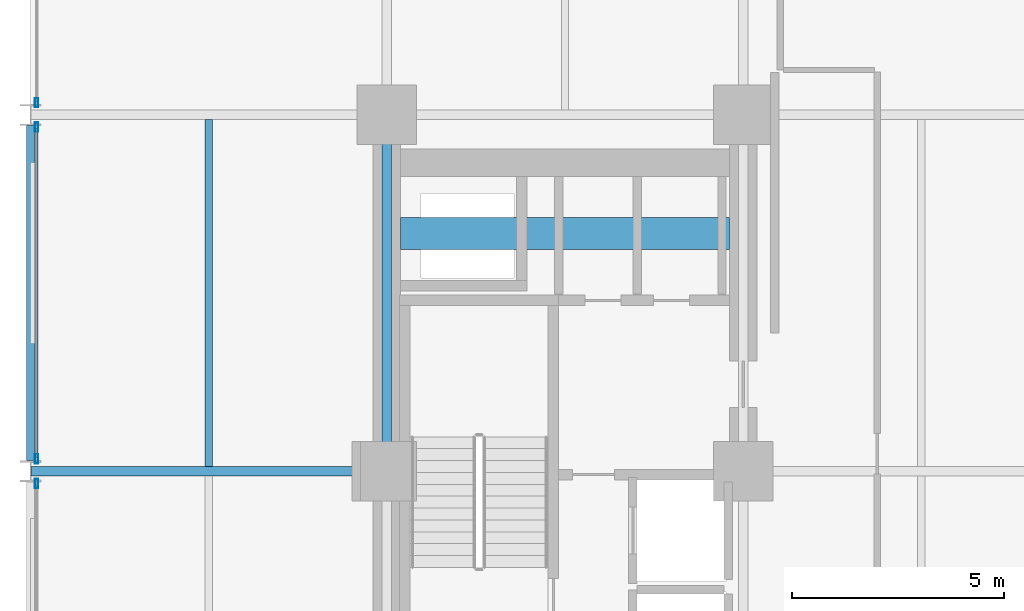
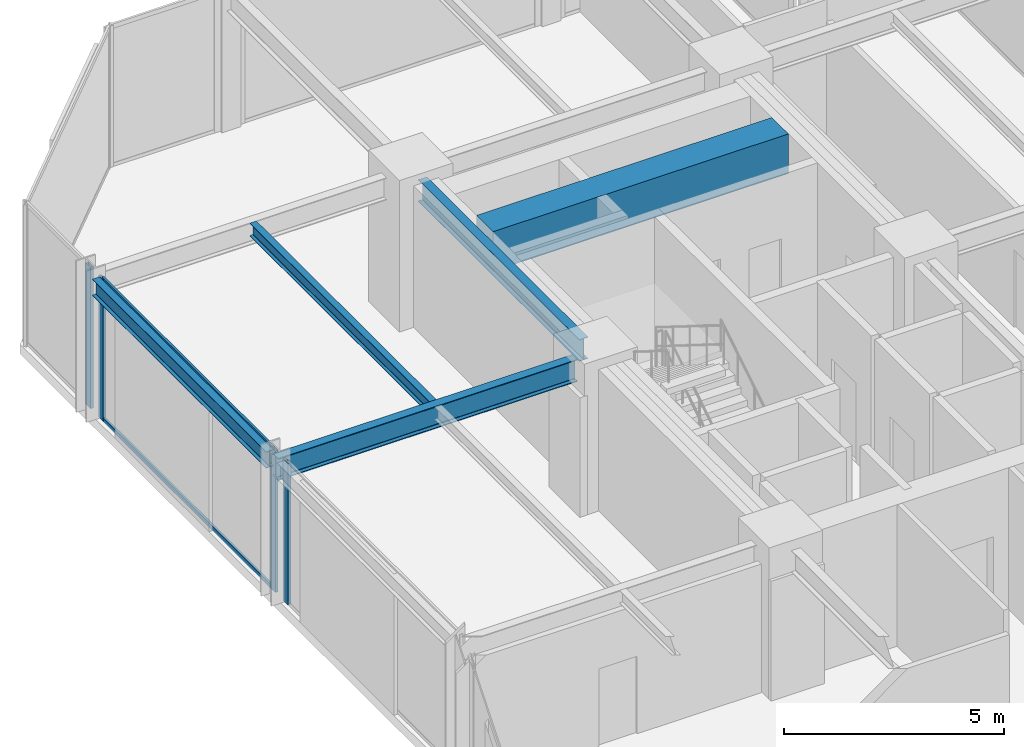
# One storey, part 14 of 24: 6 members, 5 beams, 3 elements without a shape of their own.
"""IFC4 building model written with IfcOpenShell, lengths in metres."""

from ifc_helpers import new_model, si_unit, direction, frame, origin, origin_2d, place, context, subcontext, project, spatial, rectangle, hollow_rectangle, i_section, extrude, material, layer, layer_set, material_profile, profile_set, type_object, element, aggregate, save


model = new_model("IFC4")

# Units and contexts
model_context = context("Model", 3, precision=1e-05, world=origin(), true_north=direction((0.0, 1.0)))
body_context = subcontext(model_context, "Body", "Model", "MODEL_VIEW")
ifc_project = project(units=[si_unit("LENGTHUNIT", "METRE"), si_unit("AREAUNIT", "SQUARE_METRE"), si_unit("VOLUMEUNIT", "CUBIC_METRE"), si_unit("PLANEANGLEUNIT", "RADIAN"), si_unit("MASSUNIT", "GRAM", prefix="KILO")], contexts=[model_context])

# Site, building, storey
site_placement = place(None, origin())
site = spatial("IfcSite", under=ifc_project, at=site_placement, CompositionType="ELEMENT")
building_placement = place(site_placement, origin())
building = spatial("IfcBuilding", under=site, at=building_placement, Name="Nerrivon Quay Data Exchange", CompositionType="ELEMENT")
storey_placement = place(building_placement, frame((0.0, 0.0, 45.800048828125)))
storey = spatial("IfcBuildingStorey", under=building, at=storey_placement, Name="L10", CompositionType="ELEMENT", Elevation=45.800048828125)

# Beams
ifc_material_1 = material(Name="Concrete S65 (65 MPa)", Category="concrete")
ifc_material_profile_1 = material_profile(ifc_material_1, rectangle(XDim=0.75, YDim=1.10009765625, at=origin_2d()), Name="RC-CB-750x1100")
ifc_profile_set_1 = profile_set([ifc_material_profile_1], Name="Concrete S65 (65 MPa)")
beam_type_1 = type_object("IfcBeamType", Name="BM-CB1-750x1100", PredefinedType="LINTEL", material=ifc_profile_set_1)
beam_1_placement = place(storey_placement, frame((8.72509765625, 39.199951171875, 3.375), z_axis=(1.0, 0.0, 0.0), x_axis=(0.0, 1.0, 0.0)))
element("IfcBeam", 1, at=beam_1_placement, inside=storey, type_object=beam_type_1, Name="L10 West Core Coupling Beam", PredefinedType="LINTEL", context=body_context, shape_type="SweptSolid", body=[
    extrude(rectangle(XDim=0.75, YDim=1.10009765625, at=origin_2d()), origin(), (0.0, 0.0, 1.0), 7.75),
])
ifc_material_2 = material(Name="Steel Grade 350", Category="steel")
ifc_material_profile_2 = material_profile(ifc_material_2, i_section(OverallWidth=0.22900390625, OverallDepth=0.612060546875, WebThickness=0.011962890625, FlangeThickness=0.01953125, FilletRadius=0.013916015625, at=origin_2d()), Name="610UB125")
ifc_profile_set_2 = profile_set([ifc_material_profile_2], Name="Steel Grade 350")
beam_type_2 = type_object("IfcBeamType", Name="BM-G1-610UB125", PredefinedType="BEAM", material=ifc_profile_set_2)
beam_2_placement = place(storey_placement, frame((0.013916015625, 33.60009765625, 3.618896484375), z_axis=(1.0, 0.0, 0.0), x_axis=(0.0, 1.0, 0.0)))
element("IfcBeam", 2, at=beam_2_placement, inside=storey, type_object=beam_type_2, Name="L10 EW Girder Y=33.6 (0.0..8.4)", PredefinedType="BEAM", context=body_context, shape_type="SweptSolid", body=[
    extrude(i_section(OverallWidth=0.22900390625, OverallDepth=0.612060546875, WebThickness=0.011962890625, FlangeThickness=0.01953125, FilletRadius=0.013916015625, at=origin_2d()), origin(), (0.0, 0.0, 1.0), 7.84619140625),
])
ifc_material_profile_3 = material_profile(ifc_material_2, i_section(OverallWidth=0.22802734375, OverallDepth=0.60205078125, WebThickness=0.010498046875, FlangeThickness=0.014892578125, FilletRadius=0.013916015625, at=origin_2d()), Name="610UB101")
ifc_profile_set_3 = profile_set([ifc_material_profile_3], Name="Steel Grade 350")
beam_type_3 = type_object("IfcBeamType", Name="BM-G2-610UB101", PredefinedType="BEAM", material=ifc_profile_set_3)
beam_3_placement = place(storey_placement, frame((8.39990234375, 34.139892578125, 3.6240234375), z_axis=(0.0, 1.0, 0.0), x_axis=(-1.0, 0.0, 0.0)))
element("IfcBeam", 3, at=beam_3_placement, inside=storey, type_object=beam_type_3, Name="L10 NS Girder X=8.4 (33.6..42.0)", PredefinedType="BEAM", context=body_context, shape_type="SweptSolid", body=[
    extrude(i_section(OverallWidth=0.22802734375, OverallDepth=0.60205078125, WebThickness=0.010498046875, FlangeThickness=0.014892578125, FilletRadius=0.013916015625, at=origin_2d()), origin(), (0.0, 0.0, 1.0), 7.320068359375),
])
ifc_material_profile_4 = material_profile(ifc_material_2, i_section(OverallWidth=0.172119140625, OverallDepth=0.35888671875, WebThickness=0.008056640625, FlangeThickness=0.012939453125, FilletRadius=0.011474609375, at=origin_2d()), Name="360UB56.7")
ifc_profile_set_4 = profile_set([ifc_material_profile_4], Name="Steel Grade 350")
beam_type_4 = type_object("IfcBeamType", Name="BM-J3-360UB57", PredefinedType="JOIST", material=ifc_profile_set_4)
beam_4_placement = place(storey_placement, frame((4.199951171875, 33.714599609375, 3.745361328125), z_axis=(0.0, 1.0, 0.0), x_axis=(-1.0, 0.0, 0.0)))
element("IfcBeam", 4, at=beam_4_placement, inside=storey, type_object=beam_type_4, Name="L10 Secondary Joist X=4.2 (33.6..42.0)", PredefinedType="JOIST", context=body_context, shape_type="SweptSolid", body=[
    extrude(i_section(OverallWidth=0.172119140625, OverallDepth=0.35888671875, WebThickness=0.008056640625, FlangeThickness=0.012939453125, FilletRadius=0.011474609375, at=origin_2d()), origin(), (0.0, 0.0, 1.0), 8.1708984375),
])
ifc_material_profile_5 = material_profile(ifc_material_2, i_section(OverallWidth=0.18994140625, OverallDepth=0.4541015625, WebThickness=0.008544921875, FlangeThickness=0.0126953125, FilletRadius=0.011474609375, at=origin_2d()), Name="460UB67.1")
ifc_profile_set_5 = profile_set([ifc_material_profile_5], Name="Steel Grade 350")
beam_type_5 = type_object("IfcBeamType", Name="BM-SP1-460UB67", PredefinedType="SPANDREL", material=ifc_profile_set_5)
beam_5_placement = place(storey_placement, frame((0.0, 33.85009765625, 3.697998046875), z_axis=(0.0, 1.0, 0.0), x_axis=(-1.0, 0.0, 0.0)))
element("IfcBeam", 5, at=beam_5_placement, inside=storey, type_object=beam_type_5, Name="L10 NS Girder X=0.0 (33.6..42.0)", PredefinedType="SPANDREL", context=body_context, shape_type="SweptSolid", body=[
    extrude(i_section(OverallWidth=0.18994140625, OverallDepth=0.4541015625, WebThickness=0.008544921875, FlangeThickness=0.0126953125, FilletRadius=0.011474609375, at=origin_2d()), origin(), (0.0, 0.0, 1.0), 7.89990234375),
])

# Curtain wall, member
ifc_material_3 = material(Name="Anodised aluminium 6063-T6", Category="aluminium")
ifc_layer = layer(ifc_material_3, 0.219970703125)
ifc_layer_set = layer_set([ifc_layer], Name="Anodised aluminium 6063-T6")
curtain_wall_type = type_object("IfcCurtainWallType", Name="CW-SYS-01", PredefinedType="NOTDEFINED", material=ifc_layer_set)
curtain_wall_1_placement = place(storey_placement, origin())
curtain_wall_1 = element("IfcCurtainWall", 6, at=curtain_wall_1_placement, inside=storey, type_object=curtain_wall_type, Name="L10 Unitised Curtain Wall 16", PredefinedType="NOTDEFINED")
ifc_material_profile_6 = material_profile(ifc_material_3, hollow_rectangle(XDim=0.074951171875, YDim=0.219970703125, WallThickness=0.00390625, at=origin_2d()), Name="ALU-MULL-220x75")
ifc_profile_set_6 = profile_set([ifc_material_profile_6], Name="Anodised aluminium 6063-T6")
member_type_1 = type_object("IfcMemberType", Name="CWM-220x75", PredefinedType="MULLION", material=ifc_profile_set_6)
member_1_placement = place(storey_placement, frame((0.139892578125, 33.3125, 0.0), z_axis=(0.0, 0.0, 1.0), x_axis=(-1.0, 0.0, 0.0)))
member_1 = element("IfcMember", 7, at=member_1_placement, type_object=member_type_1, Name="CW01 mullion 2", PredefinedType="MULLION", context=body_context, shape_type="SweptSolid", body=[
    extrude(hollow_rectangle(XDim=0.074951171875, YDim=0.219970703125, WallThickness=0.00390625, at=origin_2d()), origin(), (0.0, 0.0, 1.0), 3.925048828125),
])
aggregate(curtain_wall_1, [member_1])

# Curtain wall, members
curtain_wall_2_placement = place(storey_placement, origin())
curtain_wall_2 = element("IfcCurtainWall", 8, at=curtain_wall_2_placement, inside=storey, type_object=curtain_wall_type, Name="L10 Unitised Curtain Wall 17", PredefinedType="NOTDEFINED")
member_2_placement = place(storey_placement, frame((0.139892578125, 33.887451171875, 0.0), z_axis=(0.0, 0.0, 1.0), x_axis=(-1.0, 0.0, 0.0)))
member_2 = element("IfcMember", 9, at=member_2_placement, type_object=member_type_1, Name="CW01 mullion 1", PredefinedType="MULLION", context=body_context, shape_type="SweptSolid", body=[
    extrude(hollow_rectangle(XDim=0.074951171875, YDim=0.219970703125, WallThickness=0.00390625, at=origin_2d()), origin(), (0.0, 0.0, 1.0), 3.925048828125),
])
member_3_placement = place(storey_placement, frame((0.139892578125, 41.71240234375, 0.0), z_axis=(0.0, 0.0, 1.0), x_axis=(-1.0, 0.0, 0.0)))
member_3 = element("IfcMember", 10, at=member_3_placement, type_object=member_type_1, Name="CW01 mullion 2", PredefinedType="MULLION", context=body_context, shape_type="SweptSolid", body=[
    extrude(hollow_rectangle(XDim=0.074951171875, YDim=0.219970703125, WallThickness=0.00390625, at=origin_2d()), origin(), (0.0, 0.0, 1.0), 3.925048828125),
])

# Curtain wall, member
curtain_wall_3_placement = place(storey_placement, origin())
curtain_wall_3 = element("IfcCurtainWall", 11, at=curtain_wall_3_placement, inside=storey, type_object=curtain_wall_type, Name="L10 Unitised Curtain Wall 18", PredefinedType="NOTDEFINED")
member_4_placement = place(storey_placement, frame((0.139892578125, 42.28759765625, 0.0), z_axis=(0.0, 0.0, 1.0), x_axis=(-1.0, 0.0, 0.0)))
member_4 = element("IfcMember", 12, at=member_4_placement, type_object=member_type_1, Name="CW01 mullion 1", PredefinedType="MULLION", context=body_context, shape_type="SweptSolid", body=[
    extrude(hollow_rectangle(XDim=0.074951171875, YDim=0.219970703125, WallThickness=0.00390625, at=origin_2d()), origin(), (0.0, 0.0, 1.0), 3.925048828125),
])
aggregate(curtain_wall_3, [member_4])

# Member
ifc_material_profile_7 = material_profile(ifc_material_3, hollow_rectangle(XDim=0.06005859375, YDim=0.1201171875, WallThickness=0.003173828125, at=origin_2d()), Name="ALU-TRAN-120x60")
ifc_profile_set_7 = profile_set([ifc_material_profile_7], Name="Anodised aluminium 6063-T6")
member_type_2 = type_object("IfcMemberType", Name="CWT-120x60", PredefinedType="USERDEFINED", material=ifc_profile_set_7)
member_5_placement = place(storey_placement, frame((0.139892578125, 33.925048828125, 0.032470703125), z_axis=(0.0, 1.0, 0.0), x_axis=(-1.0, 0.0, 0.0)))
member_5 = element("IfcMember", 13, at=member_5_placement, type_object=member_type_2, Name="CW01 transom 1.1", ObjectType="TRANSOM", PredefinedType="USERDEFINED", context=body_context, shape_type="SweptSolid", body=[
    extrude(hollow_rectangle(XDim=0.06005859375, YDim=0.1201171875, WallThickness=0.003173828125, at=origin_2d()), origin(), (0.0, 0.0, 1.0), 7.75),
])

member_6_placement = place(storey_placement, frame((0.139892578125, 33.925048828125, 3.892333984375), z_axis=(0.0, 1.0, 0.0), x_axis=(-1.0, 0.0, 0.0)))
member_6 = element("IfcMember", 14, at=member_6_placement, type_object=member_type_2, Name="CW01 transom 1.2", ObjectType="TRANSOM", PredefinedType="USERDEFINED", context=body_context, shape_type="SweptSolid", body=[
    extrude(hollow_rectangle(XDim=0.06005859375, YDim=0.1201171875, WallThickness=0.003173828125, at=origin_2d()), origin(), (0.0, 0.0, 1.0), 7.75),
])

aggregate(curtain_wall_2, [member_2, member_3, member_5, member_6])

save(model, "model.ifc")
